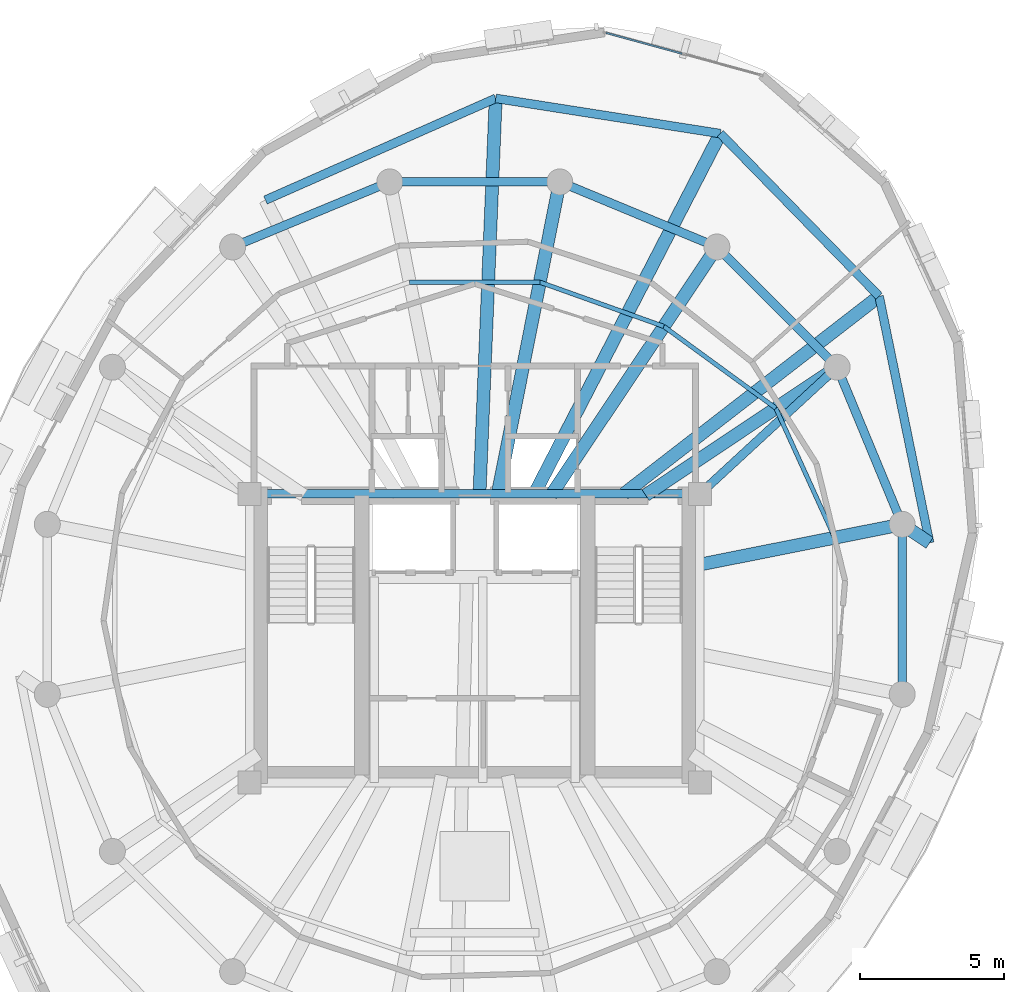
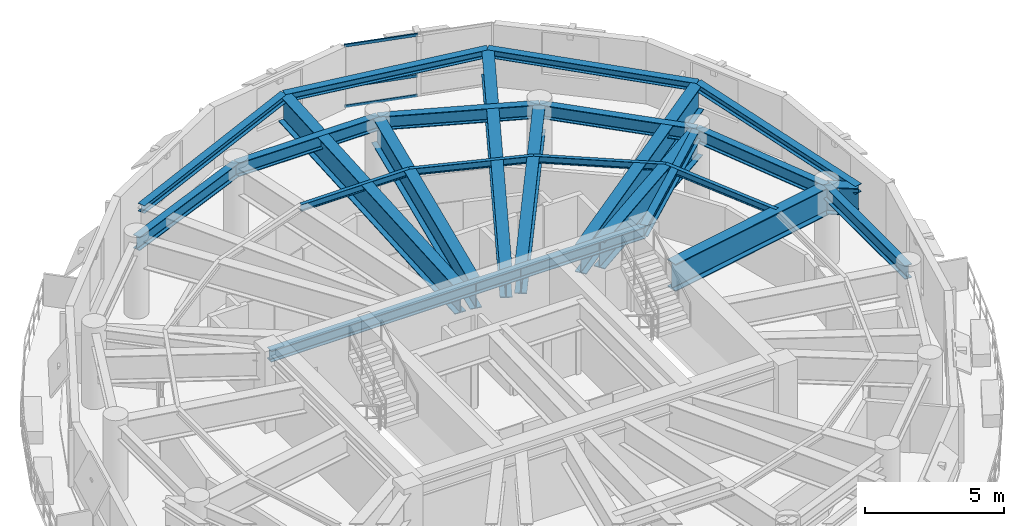
# One storey, part 4 of 11: 24 beams, 3 members, 1 element without a shape of its own.
"""IFC4 building model written with IfcOpenShell, lengths in metres."""

from ifc_helpers import new_model, si_unit, direction, frame, origin, origin_2d, place, context, subcontext, project, spatial, hollow_rectangle, i_section, extrude, material, layer, layer_set, material_profile, profile_set, type_object, element, aggregate, save


model = new_model("IFC4")

# Units and contexts
model_context = context("Model", 3, precision=1e-05, world=origin(), true_north=direction((0.0, 1.0)))
body_context = subcontext(model_context, "Body", "Model", "MODEL_VIEW")
ifc_project = project(units=[si_unit("LENGTHUNIT", "METRE"), si_unit("AREAUNIT", "SQUARE_METRE"), si_unit("VOLUMEUNIT", "CUBIC_METRE"), si_unit("PLANEANGLEUNIT", "RADIAN"), si_unit("MASSUNIT", "GRAM", prefix="KILO"), si_unit("THERMODYNAMICTEMPERATUREUNIT", "KELVIN"), si_unit("POWERUNIT", "WATT")], contexts=[model_context])

# Site, building, storey
site_placement = place(None, origin())
site = spatial("IfcSite", under=ifc_project, at=site_placement, CompositionType="ELEMENT")
building_placement = place(site_placement, origin())
building = spatial("IfcBuilding", under=site, at=building_placement, Name="Ocrelia Relay Tower", CompositionType="ELEMENT")
storey_placement = place(building_placement, frame((0.0, 0.0, 284.39990234375)))
storey = spatial("IfcBuildingStorey", under=building, at=storey_placement, Name="L71", CompositionType="ELEMENT", Elevation=284.39990234375)

# Beams
ifc_material_1 = material(Name="Steel S355", Category="steel")
ifc_material_profile_1 = material_profile(ifc_material_1, i_section(OverallWidth=0.300048828125, OverallDepth=0.35009765625, WebThickness=0.010009765625, FlangeThickness=0.017578125, FilletRadius=0.027099609375, at=origin_2d()), Name="HEA 360")
ifc_profile_set_1 = profile_set([ifc_material_profile_1], Name="Steel S355")
beam_type_1 = type_object("IfcBeamType", Name="BM-HEA360", PredefinedType="SPANDREL", material=ifc_profile_set_1)
beam_1_placement = place(storey_placement, frame((42.5078125, 42.48388671875, 3.175048828125), z_axis=(-0.987934500779, 0.15487227696, 0.0), x_axis=(-0.15487227696, -0.987934500779, 0.0)))
element("IfcBeam", 1, at=beam_1_placement, inside=storey, type_object=beam_type_1, Name="Crown Base Perimeter Ring Beam CBR01", PredefinedType="SPANDREL", context=body_context, shape_type="SweptSolid", body=[
    extrude(i_section(OverallWidth=0.300048828125, OverallDepth=0.35009765625, WebThickness=0.010009765625, FlangeThickness=0.017578125, FilletRadius=0.027099609375, at=origin_2d()), origin(), (0.0, 0.0, 1.0), 7.877197265625),
])
for number, where, z_axis, x_axis, name in (
    (2, (34.7255859375, 43.703857421875, 3.175048828125), (-0.9147224647, -0.404082680369, 0.0), (0.404082680369, -0.9147224647, 0.0), "Crown Base Perimeter Ring Beam CBR02"),
    (3, (49.759033203125, 28.3037109375, 3.175048828125), (-0.200512885634, 0.979691064925, 0.0), (-0.979691064925, -0.200512885634, 0.0), "Crown Base Perimeter Ring Beam CBR11"),
):
    element("IfcBeam", number, at=place(storey_placement, frame(where, z_axis=z_axis, x_axis=x_axis)), inside=storey, type_object=beam_type_1, Name=name, PredefinedType="SPANDREL", context=body_context, shape_type="SweptSolid", body=[
        extrude(i_section(OverallWidth=0.300048828125, OverallDepth=0.35009765625, WebThickness=0.010009765625, FlangeThickness=0.017578125, FilletRadius=0.027099609375, at=origin_2d()), origin(), (0.0, 0.0, 1.0), 8.72021484375),
    ])
beam_2_placement = place(storey_placement, frame((48.010498046875, 36.846923828125, 3.175048828125), z_axis=(-0.698532568497, 0.715578263189, 0.0), x_axis=(-0.715578263189, -0.698532568497, 0.0)))
element("IfcBeam", 4, at=beam_2_placement, inside=storey, type_object=beam_type_1, Name="Crown Base Perimeter Ring Beam CBR12", PredefinedType="SPANDREL", context=body_context, shape_type="SweptSolid", body=[
    extrude(i_section(OverallWidth=0.300048828125, OverallDepth=0.35009765625, WebThickness=0.010009765625, FlangeThickness=0.017578125, FilletRadius=0.027099609375, at=origin_2d()), origin(), (0.0, 0.0, 1.0), 7.87744140625),
])
ifc_material_profile_2 = material_profile(ifc_material_1, i_section(OverallWidth=0.300048828125, OverallDepth=0.5, WebThickness=0.014404296875, FlangeThickness=0.028076171875, FilletRadius=0.027099609375, at=origin_2d()), Name="HEB 500")
ifc_profile_set_2 = profile_set([ifc_material_profile_2], Name="Steel S355")
beam_type_2 = type_object("IfcBeamType", Name="BM-HEB500", PredefinedType="BEAM", material=ifc_profile_set_2)
beam_3_placement = place(storey_placement, frame((26.199951171875, 30.0, 3.10009765625), z_axis=(1.0, 0.0, 0.0), x_axis=(0.0, 1.0, 0.0)))
element("IfcBeam", 5, at=beam_3_placement, inside=storey, type_object=beam_type_2, Name="L71 Core Pilaster Tie Beam N", PredefinedType="BEAM", context=body_context, shape_type="SweptSolid", body=[
    extrude(i_section(OverallWidth=0.300048828125, OverallDepth=0.5, WebThickness=0.014404296875, FlangeThickness=0.028076171875, FilletRadius=0.027099609375, at=origin_2d()), origin(), (0.0, 0.0, 1.0), 15.60009765625),
])
beam_4_placement = place(storey_placement, frame((46.55517578125, 34.38916015625, 3.10009765625), z_axis=(-0.734817908666, -0.678264433023, 0.0), x_axis=(0.678264433023, -0.734817908666, 0.0)))
element("IfcBeam", 6, at=beam_4_placement, inside=storey, type_object=beam_type_2, Name="L71 Core Pilaster Frame Tie Beam PT02", PredefinedType="BEAM", context=body_context, shape_type="SweptSolid", body=[
    extrude(i_section(OverallWidth=0.300048828125, OverallDepth=0.5, WebThickness=0.014404296875, FlangeThickness=0.028076171875, FilletRadius=0.027099609375, at=origin_2d()), origin(), (0.0, 0.0, 1.0), 6.47119140625),
])
ifc_material_profile_3 = material_profile(ifc_material_1, i_section(OverallWidth=0.300048828125, OverallDepth=0.60009765625, WebThickness=0.015380859375, FlangeThickness=0.030029296875, FilletRadius=0.027099609375, at=origin_2d()), Name="HEB 600")
ifc_profile_set_3 = profile_set([ifc_material_profile_3], Name="Steel S355")
beam_type_3 = type_object("IfcBeamType", Name="BM-HEB600", PredefinedType="BEAM", material=ifc_profile_set_3)
beam_5_placement = place(storey_placement, frame((48.809814453125, 28.94580078125, 3.050048828125), z_axis=(-0.382672624084, 0.923884009374, 0.0), x_axis=(-0.923884009374, -0.382672624084, 0.0)))
element("IfcBeam", 7, at=beam_5_placement, inside=storey, type_object=beam_type_3, Name="L71 Perimeter Spandrel Beam S01", PredefinedType="BEAM", context=body_context, shape_type="SweptSolid", body=[
    extrude(i_section(OverallWidth=0.300048828125, OverallDepth=0.60009765625, WebThickness=0.015380859375, FlangeThickness=0.030029296875, FilletRadius=0.027099609375, at=origin_2d()), origin(), (0.0, 0.0, 1.0), 5.891845703125),
])
beam_6_placement = place(storey_placement, frame((46.55517578125, 34.38916015625, 3.050048828125), z_axis=(-0.707106781187, 0.707106781187, 0.0), x_axis=(-0.707106781187, -0.707106781187, 0.0)))
element("IfcBeam", 8, at=beam_6_placement, inside=storey, type_object=beam_type_3, Name="L71 Perimeter Spandrel Beam S02", PredefinedType="BEAM", context=body_context, shape_type="SweptSolid", body=[
    extrude(i_section(OverallWidth=0.300048828125, OverallDepth=0.60009765625, WebThickness=0.015380859375, FlangeThickness=0.030029296875, FilletRadius=0.027099609375, at=origin_2d()), origin(), (0.0, 0.0, 1.0), 5.8916015625),
])
beam_7_placement = place(storey_placement, frame((42.38916015625, 38.55517578125, 3.050048828125), z_axis=(-0.923884009374, 0.382672624084, 0.0), x_axis=(-0.382672624084, -0.923884009374, 0.0)))
element("IfcBeam", 9, at=beam_7_placement, inside=storey, type_object=beam_type_3, Name="L71 Perimeter Spandrel Beam S03", PredefinedType="BEAM", context=body_context, shape_type="SweptSolid", body=[
    extrude(i_section(OverallWidth=0.300048828125, OverallDepth=0.60009765625, WebThickness=0.015380859375, FlangeThickness=0.030029296875, FilletRadius=0.027099609375, at=origin_2d()), origin(), (0.0, 0.0, 1.0), 5.891845703125),
])
beam_8_placement = place(storey_placement, frame((36.94580078125, 40.809814453125, 3.050048828125), z_axis=(-1.0, 0.0, 0.0), x_axis=(0.0, -1.0, 0.0)))
element("IfcBeam", 10, at=beam_8_placement, inside=storey, type_object=beam_type_3, Name="L71 Perimeter Spandrel Beam S04", PredefinedType="BEAM", context=body_context, shape_type="SweptSolid", body=[
    extrude(i_section(OverallWidth=0.300048828125, OverallDepth=0.60009765625, WebThickness=0.015380859375, FlangeThickness=0.030029296875, FilletRadius=0.027099609375, at=origin_2d()), origin(), (0.0, 0.0, 1.0), 5.8916015625),
])
beam_9_placement = place(storey_placement, frame((31.05419921875, 40.809814453125, 3.050048828125), z_axis=(-0.923884009374, -0.382672624084, 0.0), x_axis=(0.382672624084, -0.923884009374, 0.0)))
element("IfcBeam", 11, at=beam_9_placement, inside=storey, type_object=beam_type_3, Name="L71 Perimeter Spandrel Beam S05", PredefinedType="BEAM", context=body_context, shape_type="SweptSolid", body=[
    extrude(i_section(OverallWidth=0.300048828125, OverallDepth=0.60009765625, WebThickness=0.015380859375, FlangeThickness=0.030029296875, FilletRadius=0.027099609375, at=origin_2d()), origin(), (0.0, 0.0, 1.0), 5.891845703125),
])
beam_10_placement = place(storey_placement, frame((48.809814453125, 23.05419921875, 3.050048828125), z_axis=(0.0, 1.0, 0.0), x_axis=(-1.0, 0.0, 0.0)))
element("IfcBeam", 12, at=beam_10_placement, inside=storey, type_object=beam_type_3, Name="L71 Perimeter Spandrel Beam S16", PredefinedType="BEAM", context=body_context, shape_type="SweptSolid", body=[
    extrude(i_section(OverallWidth=0.300048828125, OverallDepth=0.60009765625, WebThickness=0.015380859375, FlangeThickness=0.030029296875, FilletRadius=0.027099609375, at=origin_2d()), origin(), (0.0, 0.0, 1.0), 5.8916015625),
])
ifc_material_profile_4 = material_profile(ifc_material_1, i_section(OverallWidth=0.14990234375, OverallDepth=0.300048828125, WebThickness=0.007080078125, FlangeThickness=0.0107421875, FilletRadius=0.014892578125, at=origin_2d()), Name="IPE 300")
ifc_profile_set_4 = profile_set([ifc_material_profile_4], Name="Steel S355")
beam_type_4 = type_object("IfcBeamType", Name="BM-IPE300", PredefinedType="JOIST", material=ifc_profile_set_4)
beam_11_placement = place(storey_placement, frame((46.472412109375, 28.48095703125, 3.2001953125), z_axis=(-0.413836514443, 0.91035121756, 0.0), x_axis=(-0.91035121756, -0.413836514443, 0.0)))
element("IfcBeam", 13, at=beam_11_placement, inside=storey, type_object=beam_type_4, Name="L71 Secondary Floor Joist J01", PredefinedType="JOIST", context=body_context, shape_type="SweptSolid", body=[
    extrude(i_section(OverallWidth=0.14990234375, OverallDepth=0.300048828125, WebThickness=0.007080078125, FlangeThickness=0.0107421875, FilletRadius=0.014892578125, at=origin_2d()), origin(), (0.0, 0.0, 1.0), 4.931396484375),
])
beam_12_placement = place(storey_placement, frame((44.431640625, 32.97021484375, 3.2001953125), z_axis=(-0.80774844416, 0.58952731146, 0.0), x_axis=(-0.58952731146, -0.80774844416, 0.0)))
element("IfcBeam", 14, at=beam_12_placement, inside=storey, type_object=beam_type_4, Name="L71 Secondary Floor Joist J02", PredefinedType="JOIST", context=body_context, shape_type="SweptSolid", body=[
    extrude(i_section(OverallWidth=0.14990234375, OverallDepth=0.300048828125, WebThickness=0.007080078125, FlangeThickness=0.0107421875, FilletRadius=0.014892578125, at=origin_2d()), origin(), (0.0, 0.0, 1.0), 4.80517578125),
])
beam_13_placement = place(storey_placement, frame((40.55029296875, 35.802978515625, 3.2001953125), z_axis=(-0.94180245035, 0.336166840298, 0.0), x_axis=(-0.336166840298, -0.94180245035, 0.0)))
element("IfcBeam", 15, at=beam_13_placement, inside=storey, type_object=beam_type_4, Name="L71 Secondary Floor Joist J03", PredefinedType="JOIST", context=body_context, shape_type="SweptSolid", body=[
    extrude(i_section(OverallWidth=0.14990234375, OverallDepth=0.300048828125, WebThickness=0.007080078125, FlangeThickness=0.0107421875, FilletRadius=0.014892578125, at=origin_2d()), origin(), (0.0, 0.0, 1.0), 4.560791015625),
])
beam_14_placement = place(storey_placement, frame((36.2548828125, 37.336181640625, 3.2001953125), z_axis=(-1.0, 0.0, 0.0), x_axis=(0.0, -1.0, 0.0)))
element("IfcBeam", 16, at=beam_14_placement, inside=storey, type_object=beam_type_4, Name="L71 Secondary Floor Joist J04", PredefinedType="JOIST", context=body_context, shape_type="SweptSolid", body=[
    extrude(i_section(OverallWidth=0.14990234375, OverallDepth=0.300048828125, WebThickness=0.007080078125, FlangeThickness=0.0107421875, FilletRadius=0.014892578125, at=origin_2d()), origin(), (0.0, 0.0, 1.0), 4.509765625),
])
ifc_material_profile_5 = material_profile(ifc_material_1, i_section(OverallWidth=0.449951171875, OverallDepth=1.199951171875, WebThickness=0.02392578125, FlangeThickness=0.035888671875, FilletRadius=0.02001953125, at=origin_2d()), Name="WPG 1200x450")
ifc_profile_set_5 = profile_set([ifc_material_profile_5], Name="Steel S355")
beam_type_5 = type_object("IfcBeamType", Name="BM-WPG1200", PredefinedType="T_BEAM", material=ifc_profile_set_5)
beam_15_placement = place(storey_placement, frame((48.809814453125, 28.94580078125, 2.75), z_axis=(-0.980789400571, -0.195069607393, 0.0), x_axis=(0.195069607393, -0.980789400571, 0.0)))
element("IfcBeam", 17, at=beam_15_placement, inside=storey, type_object=beam_type_5, Name="L71 Radial Transfer Girder R01", PredefinedType="T_BEAM", context=body_context, shape_type="SweptSolid", body=[
    extrude(i_section(OverallWidth=0.449951171875, OverallDepth=1.199951171875, WebThickness=0.02392578125, FlangeThickness=0.035888671875, FilletRadius=0.02001953125, at=origin_2d()), origin(), (0.0, 0.0, 1.0), 7.447998046875),
])
beam_16_placement = place(storey_placement, frame((46.55517578125, 34.38916015625, 2.75), z_axis=(-0.83146627118, -0.555575233331, 0.0), x_axis=(0.555575233331, -0.83146627118, 0.0)))
element("IfcBeam", 18, at=beam_16_placement, inside=storey, type_object=beam_type_5, Name="L71 Radial Transfer Girder R02", PredefinedType="T_BEAM", context=body_context, shape_type="SweptSolid", body=[
    extrude(i_section(OverallWidth=0.449951171875, OverallDepth=1.199951171875, WebThickness=0.02392578125, FlangeThickness=0.035888671875, FilletRadius=0.02001953125, at=origin_2d()), origin(), (0.0, 0.0, 1.0), 7.98095703125),
])
beam_17_placement = place(storey_placement, frame((42.38916015625, 38.55517578125, 2.75), z_axis=(-0.555582296999, -0.831461551283, 0.0), x_axis=(0.831461551283, -0.555582296999, 0.0)))
element("IfcBeam", 19, at=beam_17_placement, inside=storey, type_object=beam_type_5, Name="L71 Radial Transfer Girder R03", PredefinedType="T_BEAM", context=body_context, shape_type="SweptSolid", body=[
    extrude(i_section(OverallWidth=0.449951171875, OverallDepth=1.199951171875, WebThickness=0.02392578125, FlangeThickness=0.035888671875, FilletRadius=0.02001953125, at=origin_2d()), origin(), (0.0, 0.0, 1.0), 10.34326171875),
])
beam_18_placement = place(storey_placement, frame((36.94580078125, 40.809814453125, 2.75), z_axis=(-0.195093658495, -0.98078461673, 0.0), x_axis=(0.98078461673, -0.195093658495, 0.0)))
element("IfcBeam", 20, at=beam_18_placement, inside=storey, type_object=beam_type_5, Name="L71 Radial Transfer Girder R04", PredefinedType="T_BEAM", context=body_context, shape_type="SweptSolid", body=[
    extrude(i_section(OverallWidth=0.449951171875, OverallDepth=1.199951171875, WebThickness=0.02392578125, FlangeThickness=0.035888671875, FilletRadius=0.02001953125, at=origin_2d()), origin(), (0.0, 0.0, 1.0), 11.0673828125),
])
beam_19_placement = place(storey_placement, frame((42.5078125, 42.48388671875, 2.75), z_axis=(-0.4586464611, -0.888618829263, 0.0), x_axis=(0.888618829263, -0.4586464611, 0.0)))
element("IfcBeam", 21, at=beam_19_placement, inside=storey, type_object=beam_type_5, Name="Crown Base Radial Transfer Girder CB01", PredefinedType="T_BEAM", context=body_context, shape_type="SweptSolid", body=[
    extrude(i_section(OverallWidth=0.449951171875, OverallDepth=1.199951171875, WebThickness=0.02392578125, FlangeThickness=0.035888671875, FilletRadius=0.02001953125, at=origin_2d()), origin(), (0.0, 0.0, 1.0), 14.048583984375),
])
beam_20_placement = place(storey_placement, frame((34.7255859375, 43.703857421875, 2.75), z_axis=(-0.040941219301, -0.999161556788, 0.0), x_axis=(0.999161556788, -0.040941219301, 0.0)))
element("IfcBeam", 22, at=beam_20_placement, inside=storey, type_object=beam_type_5, Name="Crown Base Radial Transfer Girder CB02", PredefinedType="T_BEAM", context=body_context, shape_type="SweptSolid", body=[
    extrude(i_section(OverallWidth=0.449951171875, OverallDepth=1.199951171875, WebThickness=0.02392578125, FlangeThickness=0.035888671875, FilletRadius=0.02001953125, at=origin_2d()), origin(), (0.0, 0.0, 1.0), 13.71533203125),
])
beam_21_placement = place(storey_placement, frame((48.809814453125, 28.94580078125, 2.75), z_axis=(0.828295044744, -0.560292172756, 0.0), x_axis=(0.560292172756, 0.828295044744, 0.0)))
element("IfcBeam", 23, at=beam_21_placement, inside=storey, type_object=beam_type_5, Name="Crown Base Column Bracket Girder CB11", PredefinedType="T_BEAM", context=body_context, shape_type="SweptSolid", body=[
    extrude(i_section(OverallWidth=0.449951171875, OverallDepth=1.199951171875, WebThickness=0.02392578125, FlangeThickness=0.035888671875, FilletRadius=0.02001953125, at=origin_2d()), origin(), (0.0, 0.0, 1.0), 1.14599609375),
])
beam_22_placement = place(storey_placement, frame((48.010498046875, 36.846923828125, 2.75), z_axis=(-0.790725411827, -0.61217099171, 0.0), x_axis=(0.61217099171, -0.790725411827, 0.0)))
element("IfcBeam", 24, at=beam_22_placement, inside=storey, type_object=beam_type_5, Name="Crown Base Radial Transfer Girder CB12", PredefinedType="T_BEAM", context=body_context, shape_type="SweptSolid", body=[
    extrude(i_section(OverallWidth=0.449951171875, OverallDepth=1.199951171875, WebThickness=0.02392578125, FlangeThickness=0.035888671875, FilletRadius=0.02001953125, at=origin_2d()), origin(), (0.0, 0.0, 1.0), 11.1845703125),
])

# Curtain wall, members
ifc_material_2 = material(Name="Aluminium and solar-control low-E glass", Category="aluminium")
ifc_layer = layer(ifc_material_2, 0.179931640625, Name="Aluminium and solar-control low-E glass")
ifc_layer_set = layer_set([ifc_layer], Name="Aluminium and solar-control low-E glass")
curtain_wall_type = type_object("IfcCurtainWallType", Name="CW-SYS-Z4-EXEC", PredefinedType="NOTDEFINED", material=ifc_layer_set)
curtain_wall_placement = place(storey_placement, origin())
curtain_wall = element("IfcCurtainWall", 25, at=curtain_wall_placement, inside=storey, type_object=curtain_wall_type, Name="L71 Elliptical Tower Curtain Wall Bay 01", PredefinedType="NOTDEFINED")
ifc_material_3 = material(Name="Anodised bronze aluminium", Category="aluminium")
ifc_material_profile_6 = material_profile(ifc_material_3, hollow_rectangle(XDim=0.06005859375, YDim=0.1201171875, WallThickness=0.0048828125, at=origin_2d()), Name="CW-TRN-120x60")
ifc_profile_set_6 = profile_set([ifc_material_profile_6], Name="Anodised bronze aluminium")
member_type = type_object("IfcMemberType", Name="CW-SYS-Z4-EXEC-TRN", PredefinedType="USERDEFINED", material=ifc_profile_set_6)
member_1_placement = place(storey_placement, frame((41.183349609375, 45.252685546875, 0.030029296875), z_axis=(-0.964585970119, 0.263768660475, 0.0), x_axis=(-0.263768660475, -0.964585970119, 0.0)))
member_1 = element("IfcMember", 26, at=member_1_placement, type_object=member_type, Name="CW-Z4 transom 2.1", ObjectType="TRANSOM", PredefinedType="USERDEFINED", context=body_context, shape_type="SweptSolid", body=[
    extrude(hollow_rectangle(XDim=0.06005859375, YDim=0.1201171875, WallThickness=0.0048828125, at=origin_2d()), origin(), (0.0, 0.0, 1.0), 2.727783203125),
])
member_2_placement = place(storey_placement, frame((41.183349609375, 45.252685546875, 0.900146484375), z_axis=(-0.964585970119, 0.263768660475, 0.0), x_axis=(-0.263768660475, -0.964585970119, 0.0)))
member_2 = element("IfcMember", 27, at=member_2_placement, type_object=member_type, Name="CW-Z4 transom 2.2", ObjectType="TRANSOM", PredefinedType="USERDEFINED", context=body_context, shape_type="SweptSolid", body=[
    extrude(hollow_rectangle(XDim=0.06005859375, YDim=0.1201171875, WallThickness=0.0048828125, at=origin_2d()), origin(), (0.0, 0.0, 1.0), 2.727783203125),
])
member_3_placement = place(storey_placement, frame((41.183349609375, 45.252685546875, 2.7001953125), z_axis=(-0.964585970119, 0.263768660475, 0.0), x_axis=(-0.263768660475, -0.964585970119, 0.0)))
member_3 = element("IfcMember", 28, at=member_3_placement, type_object=member_type, Name="CW-Z4 transom 2.3", ObjectType="TRANSOM", PredefinedType="USERDEFINED", context=body_context, shape_type="SweptSolid", body=[
    extrude(hollow_rectangle(XDim=0.06005859375, YDim=0.1201171875, WallThickness=0.0048828125, at=origin_2d()), origin(), (0.0, 0.0, 1.0), 2.727783203125),
])
aggregate(curtain_wall, [member_1, member_2, member_3])

save(model, "model.ifc")
